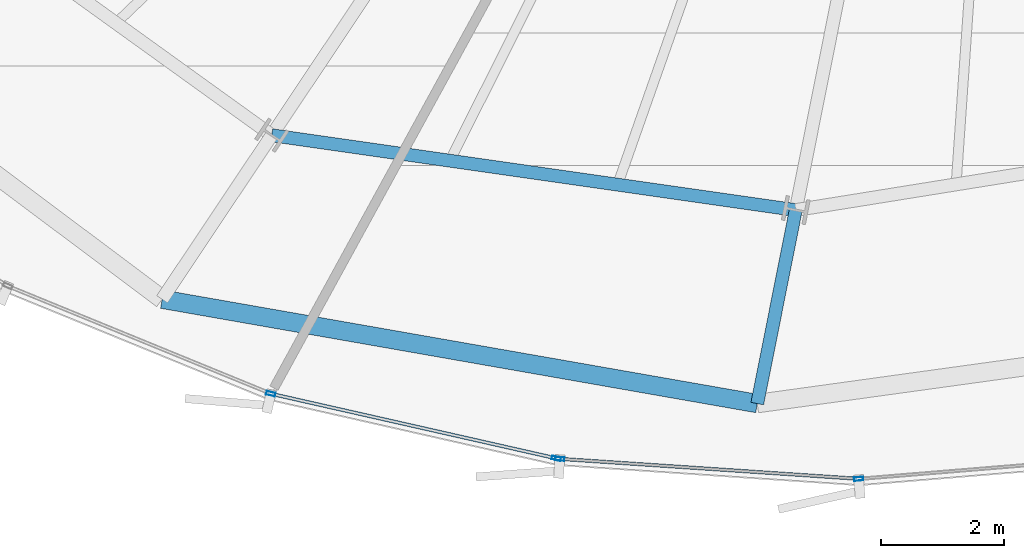
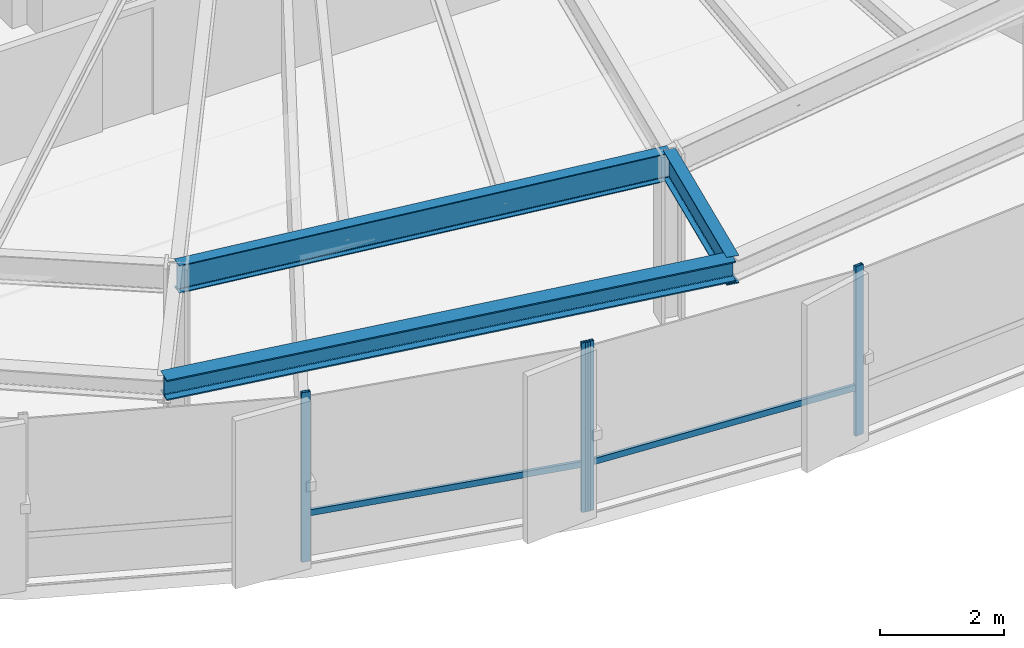
# One storey, part 5 of 35: 6 members, 3 beams, 2 elements without a shape of their own.
"""IFC4 building model written with IfcOpenShell, lengths in metres."""

from ifc_helpers import new_model, si_unit, direction, frame, origin, origin_2d, place, context, subcontext, project, spatial, hollow_rectangle, i_section, extrude, source, transform, mapped, material, layer, layer_set, material_profile, profile_set, type_object, element, aggregate, save


model = new_model("IFC4")

# Units and contexts
model_context = context("Model", 3, precision=1e-05, world=origin(), true_north=direction((0.0, 1.0)))
body_context = subcontext(model_context, "Body", "Model", "MODEL_VIEW")
ifc_project = project(units=[si_unit("LENGTHUNIT", "METRE"), si_unit("AREAUNIT", "SQUARE_METRE"), si_unit("VOLUMEUNIT", "CUBIC_METRE"), si_unit("PLANEANGLEUNIT", "RADIAN"), si_unit("MASSUNIT", "GRAM", prefix="KILO"), si_unit("THERMODYNAMICTEMPERATUREUNIT", "KELVIN")], contexts=[model_context])

# Site, building, storey
site_placement = place(None, origin())
site = spatial("IfcSite", under=ifc_project, at=site_placement, CompositionType="ELEMENT")
building_placement = place(site_placement, origin())
building = spatial("IfcBuilding", under=site, at=building_placement, Name="Kethvar Cultural Tower", CompositionType="ELEMENT")
storey_placement = place(building_placement, frame((0.0, 0.0, 103.60009765625)))
storey = spatial("IfcBuildingStorey", under=building, at=storey_placement, Name="L25", CompositionType="ELEMENT", Elevation=103.60009765625)

# Beams
ifc_material_1 = material(Name="Steel S355J2", Category="steel")
ifc_material_profile_1 = material_profile(ifc_material_1, i_section(OverallWidth=0.2099609375, OverallDepth=0.550048828125, WebThickness=0.010986328125, FlangeThickness=0.01708984375, FilletRadius=0.02392578125, at=origin_2d()), Name="Steel S355J2 — IPE550")
ifc_profile_set_1 = profile_set([ifc_material_profile_1], Name="Steel S355J2 — IPE550")
beam_type_1 = type_object("IfcBeamType", Name="BM-IPE550", PredefinedType="BEAM", material=ifc_profile_set_1)
shared_shape_1 = source(origin(), body_context, "Body", "SweptSolid", [
    extrude(i_section(OverallWidth=0.2099609375, OverallDepth=0.550048828125, WebThickness=0.010986328125, FlangeThickness=0.01708984375, FilletRadius=0.02392578125, at=origin_2d()), origin(), (0.0, 0.0, 1.0), 3.2001953125),
])
beam_1_placement = place(storey_placement, frame((42.852294921875, 7.95361328125, 3.072998046875), z_axis=(-0.195074368086, -0.980788453702, 0.0), x_axis=(0.980788453702, -0.195074368086, 0.0)))
element("IfcBeam", 1, at=beam_1_placement, inside=storey, type_object=beam_type_1, Name="L25 Perimeter Cantilever Beam RC-12", PredefinedType="BEAM", context=body_context, shape_type="MappedRepresentation", body=[
    mapped(shared_shape_1, transform((0.0, 0.0, 0.0), scale=1.0)),
])
shared_shape_2 = source(origin(), body_context, "Body", "SweptSolid", [
    extrude(i_section(OverallWidth=0.2099609375, OverallDepth=0.550048828125, WebThickness=0.010986328125, FlangeThickness=0.01708984375, FilletRadius=0.02392578125, at=origin_2d()), origin(), (0.0, 0.0, 1.0), 8.587890625),
])
beam_2_placement = place(storey_placement, frame((34.350830078125, 9.16845703125, 3.072998046875), z_axis=(0.989943807123, -0.141461156288, 0.0), x_axis=(0.141461156288, 0.989943807123, 0.0)))
element("IfcBeam", 2, at=beam_2_placement, inside=storey, type_object=beam_type_1, Name="L25 Column Ring Tie Beam CR-11", PredefinedType="BEAM", context=body_context, shape_type="MappedRepresentation", body=[
    mapped(shared_shape_2, transform((0.0, 0.0, 0.0), scale=1.0)),
])
ifc_material_profile_2 = material_profile(ifc_material_1, i_section(OverallWidth=0.300048828125, OverallDepth=0.39990234375, WebThickness=0.013427734375, FlangeThickness=0.02392578125, FilletRadius=0.027099609375, at=origin_2d()), Name="Steel S355J2 — HEB400")
ifc_profile_set_2 = profile_set([ifc_material_profile_2], Name="Steel S355J2 — HEB400")
beam_type_2 = type_object("IfcBeamType", Name="BM-SP400", PredefinedType="SPANDREL", material=ifc_profile_set_2)
shared_shape_3 = source(origin(), body_context, "Body", "SweptSolid", [
    extrude(i_section(OverallWidth=0.300048828125, OverallDepth=0.39990234375, WebThickness=0.013427734375, FlangeThickness=0.02392578125, FilletRadius=0.027099609375, at=origin_2d()), origin(), (0.0, 0.0, 1.0), 9.80224609375),
])
beam_3_placement = place(storey_placement, frame((32.572998046875, 6.5078125, 3.14794921875), z_axis=(0.984974273513, -0.172701130618, 0.0), x_axis=(0.172701130618, 0.984974273513, 0.0)))
element("IfcBeam", 3, at=beam_3_placement, inside=storey, type_object=beam_type_2, Name="L25 Perimeter Spandrel Beam SP-11", PredefinedType="SPANDREL", context=body_context, shape_type="MappedRepresentation", body=[
    mapped(shared_shape_3, transform((0.0, 0.0, 0.0), scale=1.0)),
])

# Curtain wall, members
ifc_material_2 = material(Name="Aluminium 6063-T6", Category="aluminium")
ifc_layer = layer(ifc_material_2, 0.179931640625, Name="Aluminium 6063-T6", Category="aluminium")
ifc_layer_set = layer_set([ifc_layer], Name="Aluminium 6063-T6 (180 mm)")
curtain_wall_type = type_object("IfcCurtainWallType", Name="CW-SYS-03-Z2", PredefinedType="NOTDEFINED", material=ifc_layer_set)
curtain_wall_1_placement = place(storey_placement, origin())
curtain_wall_1 = element("IfcCurtainWall", 4, at=curtain_wall_1_placement, inside=storey, type_object=curtain_wall_type, Name="L25 Curtain Wall Run 04", PredefinedType="NOTDEFINED")
ifc_material_profile_3 = material_profile(ifc_material_2, hollow_rectangle(XDim=0.06005859375, YDim=0.14990234375, WallThickness=0.0048828125, at=origin_2d()), Name="Aluminium 6063-T6 — RHS150x60x5")
ifc_profile_set_3 = profile_set([ifc_material_profile_3], Name="Aluminium 6063-T6 — RHS150x60x5")
member_type_1 = type_object("IfcMemberType", Name="CW-SYS-03-Z2-MUL", PredefinedType="MULLION", material=ifc_profile_set_3)
shared_shape_4 = source(origin(), body_context, "Body", "SweptSolid", [
    extrude(hollow_rectangle(XDim=0.06005859375, YDim=0.14990234375, WallThickness=0.0048828125, at=origin_2d()), origin(), (0.0, 0.0, 1.0), 3.349853515625),
])
member_1_placement = place(storey_placement, frame((34.336181640625, 4.974365234375, 0.0), z_axis=(0.0, 0.0, 1.0), x_axis=(0.220816593918, 0.975315349951, 0.0)))
member_1 = element("IfcMember", 5, at=member_1_placement, type_object=member_type_1, Name="CW-L25-R04 Mullion 6", PredefinedType="MULLION", context=body_context, shape_type="MappedRepresentation", body=[
    mapped(shared_shape_4, transform((0.0, 0.0, 0.0), scale=1.0)),
])
member_2_placement = place(storey_placement, frame((38.965087890625, 3.92626953125, 0.0), z_axis=(0.0, 0.0, 1.0), x_axis=(0.220816593918, 0.975315349951, 0.0)))
member_2 = element("IfcMember", 6, at=member_2_placement, type_object=member_type_1, Name="CW-L25-R04 Mullion 7", PredefinedType="MULLION", context=body_context, shape_type="MappedRepresentation", body=[
    mapped(shared_shape_4, transform((0.0, 0.0, 0.0), scale=1.0)),
])

curtain_wall_2_placement = place(storey_placement, origin())
curtain_wall_2 = element("IfcCurtainWall", 7, at=curtain_wall_2_placement, inside=storey, type_object=curtain_wall_type, Name="L25 Curtain Wall Run 05", PredefinedType="NOTDEFINED")
member_3_placement = place(storey_placement, frame((39.0244140625, 3.91748046875, 0.0), z_axis=(0.0, 0.0, 1.0), x_axis=(0.066622194773, 0.997778273548, 0.0)))
member_3 = element("IfcMember", 8, at=member_3_placement, type_object=member_type_1, Name="CW-L25-R05 Mullion 1", PredefinedType="MULLION", context=body_context, shape_type="MappedRepresentation", body=[
    mapped(shared_shape_4, transform((0.0, 0.0, 0.0), scale=1.0)),
])
member_4_placement = place(storey_placement, frame((43.872802734375, 3.592529296875, 0.0), z_axis=(0.0, 0.0, 1.0), x_axis=(-0.082129847761, 0.996621637386, 0.0)))
member_4 = element("IfcMember", 9, at=member_4_placement, type_object=member_type_1, Name="CW-L25-R05 Mullion 2", PredefinedType="MULLION", context=body_context, shape_type="MappedRepresentation", body=[
    mapped(shared_shape_4, transform((0.0, 0.0, 0.0), scale=1.0)),
])
ifc_material_profile_4 = material_profile(ifc_material_2, hollow_rectangle(XDim=0.054931640625, YDim=0.1201171875, WallThickness=0.00390625, at=origin_2d()), Name="Aluminium 6063-T6 — RHS120x55x4")
ifc_profile_set_4 = profile_set([ifc_material_profile_4], Name="Aluminium 6063-T6 — RHS120x55x4")
member_type_2 = type_object("IfcMemberType", Name="CW-SYS-03-Z2-TRN", PredefinedType="USERDEFINED", material=ifc_profile_set_4)
shared_shape_5 = source(origin(), body_context, "Body", "SweptSolid", [
    extrude(hollow_rectangle(XDim=0.054931640625, YDim=0.1201171875, WallThickness=0.00390625, at=origin_2d()), origin(), (0.0, 0.0, 1.0), 4.8291015625),
])
member_5_placement = place(storey_placement, frame((39.028564453125, 3.91748046875, 0.949951171875), z_axis=(0.997777545531, -0.066633097133, 0.0), x_axis=(0.066633097133, 0.997777545531, 0.0)))
member_5 = element("IfcMember", 10, at=member_5_placement, type_object=member_type_2, Name="CW-L25-R05 Transom 1", ObjectType="TRANSOM", PredefinedType="USERDEFINED", context=body_context, shape_type="MappedRepresentation", body=[
    mapped(shared_shape_5, transform((0.0, 0.0, 0.0), scale=1.0)),
])
aggregate(curtain_wall_2, [member_3, member_4, member_5])

# Member
shared_shape_6 = source(origin(), body_context, "Body", "SweptSolid", [
    extrude(hollow_rectangle(XDim=0.054931640625, YDim=0.1201171875, WallThickness=0.00390625, at=origin_2d()), origin(), (0.0, 0.0, 1.0), 4.698486328125),
])
member_6_placement = place(storey_placement, frame((34.37841796875, 4.964599609375, 0.949951171875), z_axis=(0.975322377821, -0.220785550525, 0.0), x_axis=(0.220785550525, 0.975322377821, 0.0)))
member_6 = element("IfcMember", 11, at=member_6_placement, type_object=member_type_2, Name="CW-L25-R04 Transom 6", ObjectType="TRANSOM", PredefinedType="USERDEFINED", context=body_context, shape_type="MappedRepresentation", body=[
    mapped(shared_shape_6, transform((0.0, 0.0, 0.0), scale=1.0)),
])

aggregate(curtain_wall_1, [member_1, member_2, member_6])

save(model, "model.ifc")
